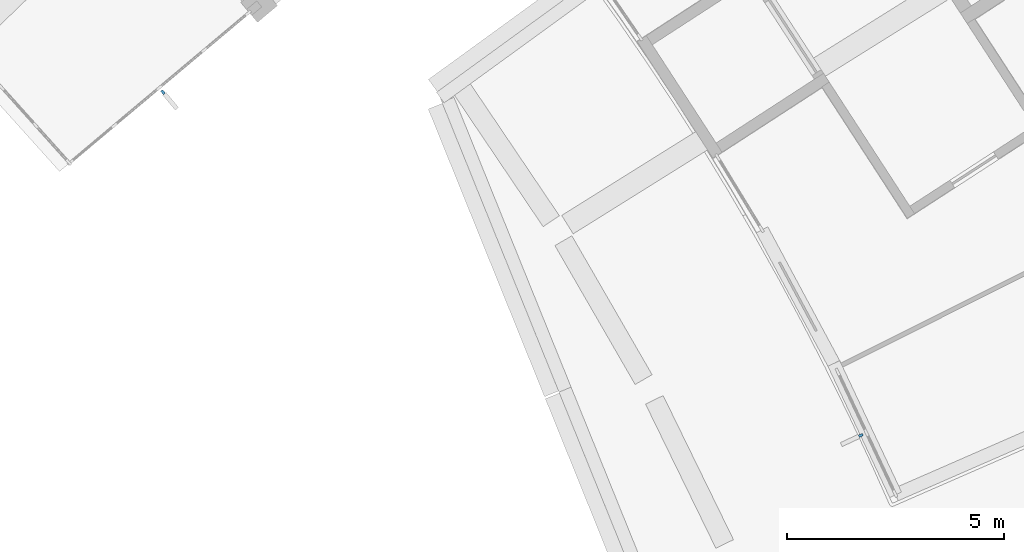
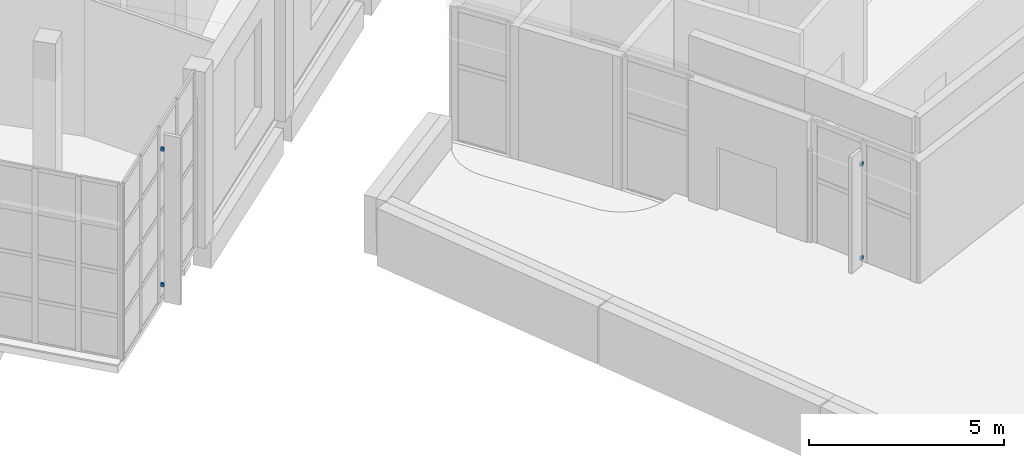
# One storey, part 98 of 132: 4 discrete accessories.
"""IFC4 building model written with IfcOpenShell, lengths in metres."""

from ifc_helpers import new_model, si_unit, direction, frame, origin, origin_2d, place, context, subcontext, project, spatial, rectangle, extrude, material, type_object, element, save


model = new_model("IFC4")

# Units and contexts
model_context = context("Model", 3, precision=1e-05, world=origin(), true_north=direction((0.0, 1.0)))
body_context = subcontext(model_context, "Body", "Model", "MODEL_VIEW")
ifc_project = project(units=[si_unit("LENGTHUNIT", "METRE"), si_unit("AREAUNIT", "SQUARE_METRE"), si_unit("VOLUMEUNIT", "CUBIC_METRE"), si_unit("PLANEANGLEUNIT", "RADIAN"), si_unit("MASSUNIT", "GRAM", prefix="KILO")], contexts=[model_context])

# Site, building, storey
site_placement = place(None, origin())
site = spatial("IfcSite", under=ifc_project, at=site_placement, CompositionType="ELEMENT")
building_placement = place(site_placement, origin())
building = spatial("IfcBuilding", under=site, at=building_placement, Name="Lunette Opera House", CompositionType="ELEMENT")
storey_placement = place(building_placement, frame((0.0, 0.0, 17.0)))
storey = spatial("IfcBuildingStorey", under=building, at=storey_placement, Name="L03", CompositionType="ELEMENT", Elevation=17.0)

# Discrete accessories
ifc_material = material(Name="Galvanised steel", Category="steel")
discrete_accessory_type = type_object("IfcDiscreteAccessoryType", Name="FIN BRACKET STEEL", PredefinedType="BRACKET", material=ifc_material)
for number, where, z_axis, x_axis, name in (
    (1, (138.216064453125, 35.25390625, 0.56494140625), (0.0, 0.0, 1.0), (0.642839751189, -0.76600068818, 0.0), "Fin bracket FC-X2178 2 1"),
    (2, (138.216064453125, 35.25390625, 4.800048828125), (0.0, 0.0, 1.0), (0.642839751189, -0.76600068818, 0.0), "Fin bracket FC-X2178 2 2"),
    (3, (154.291015625, 27.346923828125, 0.56494140625), (0.0, 0.0, 1.0), (-0.904818877924, -0.425796662919, 0.0), "Fin bracket SB-X2021 1 1"),
    (4, (154.291015625, 27.346923828125, 3.5), (0.0, 0.0, 1.0), (-0.904818877924, -0.425796662919, 0.0), "Fin bracket SB-X2021 1 2"),
):
    element("IfcDiscreteAccessory", number, at=place(storey_placement, frame(where, z_axis=z_axis, x_axis=x_axis)), inside=storey, type_object=discrete_accessory_type, Name=name, PredefinedType="BRACKET", context=body_context, shape_type="SweptSolid", body=[
        extrude(rectangle(XDim=0.10009765625, YDim=0.06005859375, at=origin_2d()), origin(), (0.0, 0.0, 1.0), 0.10009765625),
    ])

save(model, "model.ifc")
